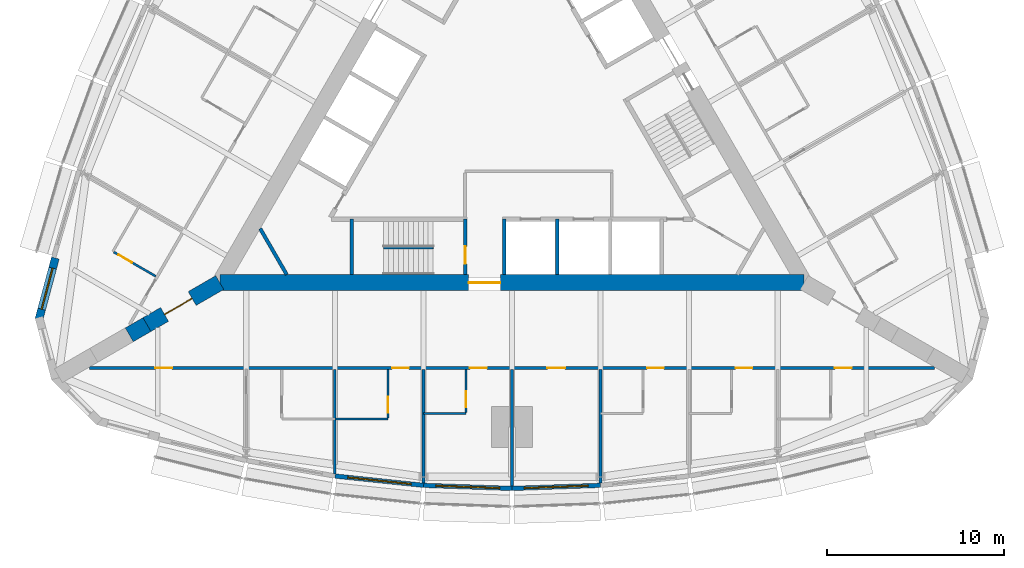
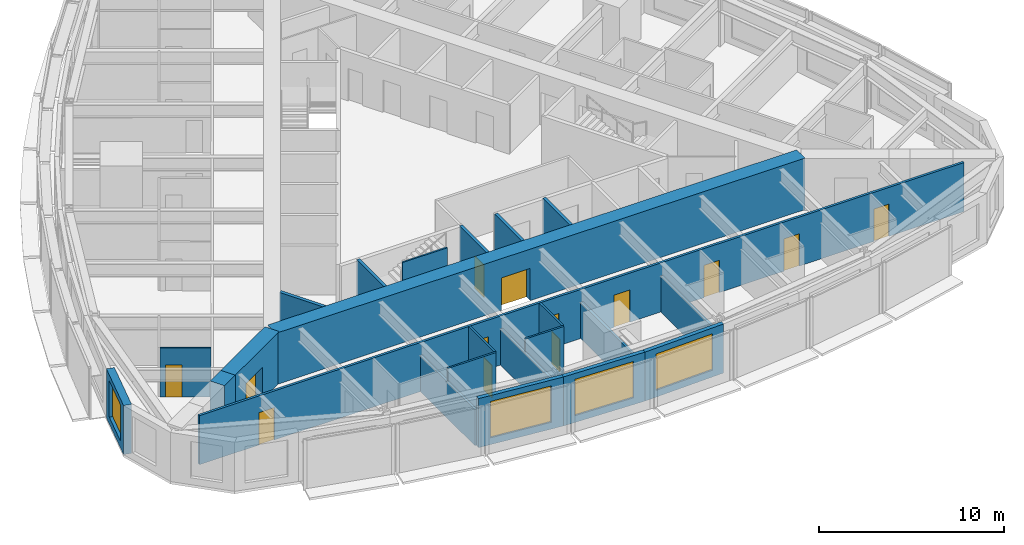
# One storey, part 8 of 14: 23 walls, 13 doors, 4 windows, 17 openings.
"""IFC4 building model written with IfcOpenShell, lengths in metres."""

from ifc_helpers import new_model, si_unit, direction, frame, frame_2d, origin, place, context, subcontext, project, spatial, rectangle, extrude, material, layer, layer_set, type_object, element, fill, save


model = new_model("IFC4")

# Units and contexts
model_context = context("Model", 3, precision=1e-05, world=origin(), true_north=direction((0.0, 1.0)))
body_context = subcontext(model_context, "Body", "Model", "MODEL_VIEW")
ifc_project = project(units=[si_unit("LENGTHUNIT", "METRE"), si_unit("AREAUNIT", "SQUARE_METRE"), si_unit("VOLUMEUNIT", "CUBIC_METRE"), si_unit("PLANEANGLEUNIT", "RADIAN"), si_unit("MASSUNIT", "GRAM", prefix="KILO")], contexts=[model_context])

# Site, building, storey
site_placement = place(None, origin())
site = spatial("IfcSite", under=ifc_project, at=site_placement, CompositionType="ELEMENT")
building_placement = place(site_placement, origin())
building = spatial("IfcBuilding", under=site, at=building_placement, Name="Trikona Tower", CompositionType="ELEMENT")
storey_placement = place(building_placement, frame((0.0, 0.0, 145.300048828125)))
storey = spatial("IfcBuildingStorey", under=building, at=storey_placement, Name="L38", CompositionType="ELEMENT", Elevation=145.300048828125)

# Wall
ifc_material_1 = material(Name="Metal stud and cement board", Category="gypsum")
ifc_layer_1 = layer(ifc_material_1, 0.1201171875)
ifc_layer_set_1 = layer_set([ifc_layer_1], Name="Bathroom wall 120")
wall_type_1 = type_object("IfcWallType", Name="Bathroom wall 120", PredefinedType="PLUMBINGWALL", material=ifc_layer_set_1)
wall_1_placement = place(storey_placement, frame((-10.0, -17.226318359375, 0.0), z_axis=(0.0, 0.0, 1.0), x_axis=(1.0, 0.0, 0.0)))
element("IfcWall", 1, at=wall_1_placement, inside=storey, type_object=wall_type_1, Name="Bathroom wall 3802", PredefinedType="PLUMBINGWALL", context=body_context, shape_type="SweptSolid", body=[
    extrude(rectangle(XDim=3.0, YDim=0.1201171875, at=frame_2d((1.5, 0.0))), origin(), (0.0, 0.0, 1.0), 3.23486328125),
])

# Wall, opening, door
wall_2_placement = place(storey_placement, frame((-7.0, -14.42626953125, 0.0), z_axis=(0.0, 0.0, 1.0), x_axis=(0.0, -1.0, 0.0)))
wall_2 = element("IfcWall", 2, at=wall_2_placement, inside=storey, type_object=wall_type_1, Name="Bathroom wall 3802", PredefinedType="PLUMBINGWALL", context=body_context, shape_type="SweptSolid", body=[
    extrude(rectangle(XDim=2.739990234375, YDim=0.1201171875, at=frame_2d((1.3701171875, 0.0))), origin(), (0.0, 0.0, 1.0), 3.23486328125),
])
opening_1_placement = place(wall_2_placement, frame((1.550048828125, 0.0, 0.0)))
opening_1 = element("IfcOpeningElement", 3, at=opening_1_placement, cuts=wall_2, Name="Opening D2", PredefinedType="OPENING", context=body_context, shape_type="SweptSolid", body=[
    extrude(rectangle(XDim=0.89990234375, YDim=2.1298828125, at=frame_2d((0.449951171875, 1.06494140625))), frame((0.0, 0.070068359375, 0.0), z_axis=(0.0, -1.0, 0.0), x_axis=(1.0, 0.0, 0.0)), (0.0, 0.0, 1.0), 0.14013671875),
])
ifc_material_2 = material(Name="Steel door frame with solid-core timber leaf", Category="steel")
door_type_1 = type_object("IfcDoorType", Name="Bathroom door 900x2130", OperationType="SLIDING_TO_LEFT", PredefinedType="DOOR", material=ifc_material_2)
door_1_placement = place(opening_1_placement, origin())
door_1 = element("IfcDoor", 4, at=door_1_placement, inside=storey, type_object=door_type_1, Name="Bathroom door 3802", OperationType="SLIDING_TO_LEFT", OverallHeight=2.1298828125, OverallWidth=0.89990234375, PredefinedType="DOOR", context=body_context, shape_type="SweptSolid", body=[
    extrude(rectangle(XDim=0.89990234375, YDim=2.1298828125, at=frame_2d((0.449951171875, 1.06494140625))), frame((0.0, 0.02490234375, 0.0), z_axis=(0.0, -1.0, 0.0), x_axis=(1.0, 0.0, 0.0)), (0.0, 0.0, 1.0), 0.050048828125),
])
fill(opening_1, door_1)

# Wall
wall_3_placement = place(storey_placement, frame((-5.0, -16.92626953125, 0.0), z_axis=(0.0, 0.0, 1.0), x_axis=(1.0, 0.0, 0.0)))
element("IfcWall", 5, at=wall_3_placement, inside=storey, type_object=wall_type_1, Name="Bathroom wall 3803", PredefinedType="PLUMBINGWALL", context=body_context, shape_type="SweptSolid", body=[
    extrude(rectangle(XDim=2.39990234375, YDim=0.1201171875, at=frame_2d((1.199951171875, 0.0))), origin(), (0.0, 0.0, 1.0), 3.23486328125),
])

# Wall, opening, door
wall_4_placement = place(storey_placement, frame((-2.60009765625, -14.42626953125, 0.0), z_axis=(0.0, 0.0, 1.0), x_axis=(0.0, -1.0, 0.0)))
wall_4 = element("IfcWall", 6, at=wall_4_placement, inside=storey, type_object=wall_type_1, Name="Bathroom wall 3803", PredefinedType="PLUMBINGWALL", context=body_context, shape_type="SweptSolid", body=[
    extrude(rectangle(XDim=2.43994140625, YDim=0.1201171875, at=frame_2d((1.219970703125, 0.0))), origin(), (0.0, 0.0, 1.0), 3.23486328125),
])
opening_2_placement = place(wall_4_placement, frame((1.25, 0.0, 0.0)))
opening_2 = element("IfcOpeningElement", 7, at=opening_2_placement, cuts=wall_4, Name="Opening D2", PredefinedType="OPENING", context=body_context, shape_type="SweptSolid", body=[
    extrude(rectangle(XDim=0.89990234375, YDim=2.1298828125, at=frame_2d((0.449951171875, 1.06494140625))), frame((0.0, 0.070068359375, 0.0), z_axis=(0.0, -1.0, 0.0), x_axis=(1.0, 0.0, 0.0)), (0.0, 0.0, 1.0), 0.14013671875),
])
door_2_placement = place(opening_2_placement, origin())
door_2 = element("IfcDoor", 8, at=door_2_placement, inside=storey, type_object=door_type_1, Name="Bathroom door 3803", OperationType="SLIDING_TO_LEFT", OverallHeight=2.1298828125, OverallWidth=0.89990234375, PredefinedType="DOOR", context=body_context, shape_type="SweptSolid", body=[
    extrude(rectangle(XDim=0.89990234375, YDim=2.1298828125, at=frame_2d((0.449951171875, 1.06494140625))), frame((0.0, 0.02490234375, 0.0), z_axis=(0.0, -1.0, 0.0), x_axis=(1.0, 0.0, 0.0)), (0.0, 0.0, 1.0), 0.050048828125),
])
fill(opening_2, door_2)

wall_5_placement = place(storey_placement, frame((-20.10791015625, -9.17529296875, 0.0), z_axis=(0.0, 0.0, 1.0), x_axis=(-0.866035715982, 0.499982138324, 0.0)))
wall_5 = element("IfcWall", 9, at=wall_5_placement, inside=storey, type_object=wall_type_1, Name="Bathroom wall 3817", PredefinedType="PLUMBINGWALL", context=body_context, shape_type="SweptSolid", body=[
    extrude(rectangle(XDim=2.73974609375, YDim=0.1201171875, at=frame_2d((1.369873046875, 0.0))), origin(), (0.0, 0.0, 1.0), 3.23486328125),
])
opening_3_placement = place(wall_5_placement, frame((1.550048828125, 0.0, 0.0)))
opening_3 = element("IfcOpeningElement", 10, at=opening_3_placement, cuts=wall_5, Name="Opening D2", PredefinedType="OPENING", context=body_context, shape_type="SweptSolid", body=[
    extrude(rectangle(XDim=0.89990234375, YDim=2.1298828125, at=frame_2d((0.449951171875, 1.06494140625))), frame((0.0, 0.070068359375, 0.0), z_axis=(0.0, -1.0, 0.0), x_axis=(1.0, 0.0, 0.0)), (0.0, 0.0, 1.0), 0.14013671875),
])
door_3_placement = place(opening_3_placement, origin())
door_3 = element("IfcDoor", 11, at=door_3_placement, inside=storey, type_object=door_type_1, Name="Bathroom door 3817", OperationType="SLIDING_TO_LEFT", OverallHeight=2.1298828125, OverallWidth=0.89990234375, PredefinedType="DOOR", context=body_context, shape_type="SweptSolid", body=[
    extrude(rectangle(XDim=0.89990234375, YDim=2.1298828125, at=frame_2d((0.449951171875, 1.06494140625))), frame((0.0, 0.02490234375, 0.0), z_axis=(0.0, -1.0, 0.0), x_axis=(1.0, 0.0, 0.0)), (0.0, 0.0, 1.0), 0.050048828125),
])
fill(opening_3, door_3)

# Wall, opening, window
ifc_material_3 = material(Name="Brick-faced precast concrete", Category="masonry")
ifc_layer_2 = layer(ifc_material_3, 0.449951171875)
ifc_layer_set_2 = layer_set([ifc_layer_2], Name="Brick-faced corner wall 450")
wall_type_2 = type_object("IfcWallType", Name="Brick-faced corner wall 450", PredefinedType="SOLIDWALL", material=ifc_layer_set_2)
wall_6_placement = place(storey_placement, frame((-25.78271484375, -8.14111328125, 0.0), z_axis=(0.0, 0.0, 1.0), x_axis=(-0.258823421857, -0.965924653531, 0.0)))
wall_6 = element("IfcWall", 12, at=wall_6_placement, inside=storey, type_object=wall_type_2, Name="External wall L38-32", PredefinedType="SOLIDWALL", context=body_context, shape_type="SweptSolid", body=[
    extrude(rectangle(XDim=3.58642578125, YDim=0.449951171875, at=frame_2d((1.793212890625, 0.0))), origin(), (0.0, 0.0, 1.0), 3.23486328125),
])
opening_4_placement = place(wall_6_placement, frame((0.593017578125, 0.0, 0.449951171875)))
opening_4 = element("IfcOpeningElement", 13, at=opening_4_placement, cuts=wall_6, Name="Opening W2424", PredefinedType="OPENING", context=body_context, shape_type="SweptSolid", body=[
    extrude(rectangle(XDim=2.39990234375, YDim=2.39990234375, at=frame_2d((1.199951171875, 1.199951171875))), frame((0.0, 0.23486328125, 0.0), z_axis=(0.0, -1.0, 0.0), x_axis=(1.0, 0.0, 0.0)), (0.0, 0.0, 1.0), 0.469970703125),
])
ifc_material_4 = material(Name="Aluminium-framed double glazing", Category="aluminium")
window_type_1 = type_object("IfcWindowType", Name="Window 2400x2400", PartitioningType="SINGLE_PANEL", PredefinedType="WINDOW", material=ifc_material_4)
window_1_placement = place(opening_4_placement, origin())
window_1 = element("IfcWindow", 14, at=window_1_placement, inside=storey, type_object=window_type_1, Name="Window 3817", OverallHeight=2.39990234375, OverallWidth=2.39990234375, PartitioningType="SINGLE_PANEL", PredefinedType="WINDOW", context=body_context, shape_type="SweptSolid", body=[
    extrude(rectangle(XDim=2.39990234375, YDim=2.39990234375, at=frame_2d((1.199951171875, 1.199951171875))), frame((0.0, 0.030029296875, 0.0), z_axis=(0.0, -1.0, 0.0), x_axis=(1.0, 0.0, 0.0)), (0.0, 0.0, 1.0), 0.06005859375),
])
fill(opening_4, window_1)

# Wall, opening, door
ifc_material_5 = material(Name="Concrete f'c 10000 psi", Category="concrete")
ifc_layer_3 = layer(ifc_material_5, 0.89990234375)
ifc_layer_set_3 = layer_set([ifc_layer_3], Name="Buttress wall 900")
wall_type_3 = type_object("IfcWallType", Name="Buttress wall 900", PredefinedType="SHEAR", material=ifc_layer_set_3)
wall_7_placement = place(storey_placement, frame((-16.5, -9.5263671875, 0.0), z_axis=(0.0, 0.0, 1.0), x_axis=(-0.866031398331, -0.499989616998, 0.0)))
wall_7 = element("IfcWall", 15, at=wall_7_placement, inside=storey, type_object=wall_type_3, Name="Buttress wall 3", PredefinedType="SHEAR", context=body_context, shape_type="SweptSolid", body=[
    extrude(rectangle(XDim=4.74609375, YDim=0.89990234375, at=frame_2d((2.373046875, 0.0))), origin(), (0.0, 0.0, 1.0), 3.39990234375),
])
opening_5_placement = place(wall_7_placement, frame((1.800048828125, 0.0, 0.0)))
opening_5 = element("IfcOpeningElement", 16, at=opening_5_placement, cuts=wall_7, Name="Opening D10", PredefinedType="OPENING", context=body_context, shape_type="SweptSolid", body=[
    extrude(rectangle(XDim=1.800048828125, YDim=2.1298828125, at=frame_2d((0.89990234375, 1.06494140625))), frame((0.0, 0.4599609375, 0.0), z_axis=(0.0, -1.0, 0.0), x_axis=(1.0, 0.0, 0.0)), (0.0, 0.0, 1.0), 0.919921875),
])
ifc_material_6 = material(Name="Hollow metal door and frame", Category="steel")
door_type_2 = type_object("IfcDoorType", Name="Cross-corridor door pair 1800x2130", OperationType="DOUBLE_DOOR_DOUBLE_SWING", PredefinedType="DOOR", material=ifc_material_6)
door_4_placement = place(opening_5_placement, origin())
door_4 = element("IfcDoor", 17, at=door_4_placement, inside=storey, type_object=door_type_2, Name="Cross-corridor door 3", OperationType="DOUBLE_DOOR_DOUBLE_SWING", OverallHeight=2.1298828125, OverallWidth=1.800048828125, PredefinedType="DOOR", context=body_context, shape_type="SweptSolid", body=[
    extrude(rectangle(XDim=1.800048828125, YDim=2.1298828125, at=frame_2d((0.89990234375, 1.06494140625))), frame((0.0, 0.02490234375, 0.0), z_axis=(0.0, -1.0, 0.0), x_axis=(1.0, 0.0, 0.0)), (0.0, 0.0, 1.0), 0.050048828125),
])
fill(opening_5, door_4)

# Wall
wall_8_placement = place(storey_placement, frame((-20.6103515625, -11.8994140625, 0.0), z_axis=(0.0, 0.0, 1.0), x_axis=(-0.866009537788, -0.500027479704, 0.0)))
element("IfcWall", 18, at=wall_8_placement, inside=storey, type_object=wall_type_3, Name="Buttress wall 3 part 2", PredefinedType="SHEAR", context=body_context, shape_type="SweptSolid", body=[
    extrude(rectangle(XDim=1.15478515625, YDim=0.89990234375, at=frame_2d((0.577392578125, 0.0))), origin(), (0.0, 0.0, 1.0), 3.39990234375),
])

# Wall, opening, door
ifc_material_7 = material(Name="Concrete f'c 10000 psi", Category="concrete")
ifc_layer_4 = layer(ifc_material_7, 0.89990234375)
ifc_layer_set_4 = layer_set([ifc_layer_4], Name="Core wall 900")
wall_type_4 = type_object("IfcWallType", Name="Core wall 900", PredefinedType="SHEAR", material=ifc_layer_set_4)
wall_9_placement = place(storey_placement, frame((-16.5, -9.5263671875, 0.0), z_axis=(0.0, 0.0, 1.0), x_axis=(1.0, 0.0, 0.0)))
wall_9 = element("IfcWall", 19, at=wall_9_placement, inside=storey, type_object=wall_type_4, Name="Core wall A", PredefinedType="SHEAR", context=body_context, shape_type="SweptSolid", body=[
    extrude(rectangle(XDim=33.0, YDim=0.89990234375, at=frame_2d((16.5, 0.0))), origin(), (0.0, 0.0, 1.0), 3.39990234375),
])
opening_6_placement = place(wall_9_placement, frame((14.050048828125, 0.0, 0.0)))
opening_6 = element("IfcOpeningElement", 20, at=opening_6_placement, cuts=wall_9, Name="Opening D6", PredefinedType="OPENING", context=body_context, shape_type="SweptSolid", body=[
    extrude(rectangle(XDim=1.800048828125, YDim=2.1298828125, at=frame_2d((0.89990234375, 1.06494140625))), frame((0.0, 0.4599609375, 0.0), z_axis=(0.0, -1.0, 0.0), x_axis=(1.0, 0.0, 0.0)), (0.0, 0.0, 1.0), 0.919921875),
])
ifc_material_8 = material(Name="Hollow metal door and frame", Category="steel")
door_type_3 = type_object("IfcDoorType", Name="Lobby door pair 1800x2130", OperationType="DOUBLE_DOOR_SINGLE_SWING", PredefinedType="DOOR", material=ifc_material_8)
door_5_placement = place(opening_6_placement, origin())
door_5 = element("IfcDoor", 21, at=door_5_placement, inside=storey, type_object=door_type_3, Name="Fire service lift lobby door", OperationType="DOUBLE_DOOR_SINGLE_SWING", OverallHeight=2.1298828125, OverallWidth=1.800048828125, PredefinedType="DOOR", context=body_context, shape_type="SweptSolid", body=[
    extrude(rectangle(XDim=1.800048828125, YDim=2.1298828125, at=frame_2d((0.89990234375, 1.06494140625))), frame((0.0, 0.02490234375, 0.0), z_axis=(0.0, -1.0, 0.0), x_axis=(1.0, 0.0, 0.0)), (0.0, 0.0, 1.0), 0.050048828125),
])
fill(opening_6, door_5)

# Wall, openings, doors
ifc_material_9 = material(Name="Metal stud and gypsum board, 1-hour", Category="gypsum")
ifc_layer_5 = layer(ifc_material_9, 0.14990234375)
ifc_layer_set_5 = layer_set([ifc_layer_5], Name="Corridor wall 150")
wall_type_5 = type_object("IfcWallType", Name="Corridor wall 150", PredefinedType="PARTITIONING", material=ifc_layer_set_5)
wall_10_placement = place(storey_placement, frame((-23.857177734375, -14.351318359375, 0.0), z_axis=(0.0, 0.0, 1.0), x_axis=(1.0, 0.0, 0.0)))
wall_10 = element("IfcWall", 22, at=wall_10_placement, inside=storey, type_object=wall_type_5, Name="Corridor wall L38-1", PredefinedType="PARTITIONING", context=body_context, shape_type="SweptSolid", body=[
    extrude(rectangle(XDim=47.71435546875, YDim=0.14990234375, at=frame_2d((23.857177734375, 0.0))), origin(), (0.0, 0.0, 1.0), 3.23486328125),
])
opening_7_placement = place(wall_10_placement, frame((3.723388671875, 0.0, 0.0)))
opening_7 = element("IfcOpeningElement", 23, at=opening_7_placement, cuts=wall_10, Name="Opening D1", PredefinedType="OPENING", context=body_context, shape_type="SweptSolid", body=[
    extrude(rectangle(XDim=0.949951171875, YDim=2.1298828125, at=frame_2d((0.47509765625, 1.06494140625))), frame((0.0, 0.0849609375, 0.0), z_axis=(0.0, -1.0, 0.0), x_axis=(1.0, 0.0, 0.0)), (0.0, 0.0, 1.0), 0.169921875),
])
opening_8_placement = place(wall_10_placement, frame((17.08203125, 0.0, 0.0)))
opening_8 = element("IfcOpeningElement", 24, at=opening_8_placement, cuts=wall_10, Name="Opening D1", PredefinedType="OPENING", context=body_context, shape_type="SweptSolid", body=[
    extrude(rectangle(XDim=0.949951171875, YDim=2.1298828125, at=frame_2d((0.47509765625, 1.06494140625))), frame((0.0, 0.0849609375, 0.0), z_axis=(0.0, -1.0, 0.0), x_axis=(1.0, 0.0, 0.0)), (0.0, 0.0, 1.0), 0.169921875),
])
opening_9_placement = place(wall_10_placement, frame((21.482177734375, 0.0, 0.0)))
opening_9 = element("IfcOpeningElement", 25, at=opening_9_placement, cuts=wall_10, Name="Opening D1", PredefinedType="OPENING", context=body_context, shape_type="SweptSolid", body=[
    extrude(rectangle(XDim=0.949951171875, YDim=2.1298828125, at=frame_2d((0.47509765625, 1.06494140625))), frame((0.0, 0.0849609375, 0.0), z_axis=(0.0, -1.0, 0.0), x_axis=(1.0, 0.0, 0.0)), (0.0, 0.0, 1.0), 0.169921875),
])
opening_10_placement = place(wall_10_placement, frame((25.857177734375, 0.0, 0.0)))
opening_10 = element("IfcOpeningElement", 26, at=opening_10_placement, cuts=wall_10, Name="Opening D3", PredefinedType="OPENING", context=body_context, shape_type="SweptSolid", body=[
    extrude(rectangle(XDim=1.0, YDim=2.1298828125, at=frame_2d((0.5, 1.06494140625))), frame((0.0, 0.0849609375, 0.0), z_axis=(0.0, -1.0, 0.0), x_axis=(1.0, 0.0, 0.0)), (0.0, 0.0, 1.0), 0.169921875),
])
opening_11_placement = place(wall_10_placement, frame((31.482177734375, 0.0, 0.0)))
opening_11 = element("IfcOpeningElement", 27, at=opening_11_placement, cuts=wall_10, Name="Opening D1", PredefinedType="OPENING", context=body_context, shape_type="SweptSolid", body=[
    extrude(rectangle(XDim=0.949951171875, YDim=2.1298828125, at=frame_2d((0.47509765625, 1.06494140625))), frame((0.0, 0.0849609375, 0.0), z_axis=(0.0, -1.0, 0.0), x_axis=(1.0, 0.0, 0.0)), (0.0, 0.0, 1.0), 0.169921875),
])
opening_12_placement = place(wall_10_placement, frame((36.482177734375, 0.0, 0.0)))
opening_12 = element("IfcOpeningElement", 28, at=opening_12_placement, cuts=wall_10, Name="Opening D1", PredefinedType="OPENING", context=body_context, shape_type="SweptSolid", body=[
    extrude(rectangle(XDim=0.949951171875, YDim=2.1298828125, at=frame_2d((0.47509765625, 1.06494140625))), frame((0.0, 0.0849609375, 0.0), z_axis=(0.0, -1.0, 0.0), x_axis=(1.0, 0.0, 0.0)), (0.0, 0.0, 1.0), 0.169921875),
])
opening_13_placement = place(wall_10_placement, frame((42.08203125, 0.0, 0.0)))
opening_13 = element("IfcOpeningElement", 29, at=opening_13_placement, cuts=wall_10, Name="Opening D1", PredefinedType="OPENING", context=body_context, shape_type="SweptSolid", body=[
    extrude(rectangle(XDim=0.949951171875, YDim=2.1298828125, at=frame_2d((0.47509765625, 1.06494140625))), frame((0.0, 0.0849609375, 0.0), z_axis=(0.0, -1.0, 0.0), x_axis=(1.0, 0.0, 0.0)), (0.0, 0.0, 1.0), 0.169921875),
])
ifc_material_10 = material(Name="Steel door frame with solid-core timber leaf", Category="steel")
door_type_4 = type_object("IfcDoorType", Name="Guest room door 950x2130", OperationType="SINGLE_SWING_LEFT", PredefinedType="DOOR", material=ifc_material_10)
door_6_placement = place(opening_7_placement, origin())
door_6 = element("IfcDoor", 30, at=door_6_placement, inside=storey, type_object=door_type_4, Name="Room door 3801", OperationType="SINGLE_SWING_LEFT", OverallHeight=2.1298828125, OverallWidth=0.949951171875, PredefinedType="DOOR", context=body_context, shape_type="SweptSolid", body=[
    extrude(rectangle(XDim=0.949951171875, YDim=2.1298828125, at=frame_2d((0.47509765625, 1.06494140625))), frame((0.0, 0.02490234375, 0.0), z_axis=(0.0, -1.0, 0.0), x_axis=(1.0, 0.0, 0.0)), (0.0, 0.0, 1.0), 0.050048828125),
])
fill(opening_7, door_6)
door_7_placement = place(opening_8_placement, origin())
door_7 = element("IfcDoor", 31, at=door_7_placement, inside=storey, type_object=door_type_4, Name="Room door 3802", OperationType="SINGLE_SWING_RIGHT", OverallHeight=2.1298828125, OverallWidth=0.949951171875, PredefinedType="DOOR", context=body_context, shape_type="SweptSolid", body=[
    extrude(rectangle(XDim=0.949951171875, YDim=2.1298828125, at=frame_2d((0.47509765625, 1.06494140625))), frame((0.0, 0.02490234375, 0.0), z_axis=(0.0, -1.0, 0.0), x_axis=(1.0, 0.0, 0.0)), (0.0, 0.0, 1.0), 0.050048828125),
])
fill(opening_8, door_7)
door_8_placement = place(opening_9_placement, origin())
door_8 = element("IfcDoor", 32, at=door_8_placement, inside=storey, type_object=door_type_4, Name="Room door 3803", OperationType="SINGLE_SWING_LEFT", OverallHeight=2.1298828125, OverallWidth=0.949951171875, PredefinedType="DOOR", context=body_context, shape_type="SweptSolid", body=[
    extrude(rectangle(XDim=0.949951171875, YDim=2.1298828125, at=frame_2d((0.47509765625, 1.06494140625))), frame((0.0, 0.02490234375, 0.0), z_axis=(0.0, -1.0, 0.0), x_axis=(1.0, 0.0, 0.0)), (0.0, 0.0, 1.0), 0.050048828125),
])
fill(opening_9, door_8)
door_9_placement = place(opening_11_placement, origin())
door_9 = element("IfcDoor", 33, at=door_9_placement, inside=storey, type_object=door_type_4, Name="Room door 3804", OperationType="SINGLE_SWING_LEFT", OverallHeight=2.1298828125, OverallWidth=0.949951171875, PredefinedType="DOOR", context=body_context, shape_type="SweptSolid", body=[
    extrude(rectangle(XDim=0.949951171875, YDim=2.1298828125, at=frame_2d((0.47509765625, 1.06494140625))), frame((0.0, 0.02490234375, 0.0), z_axis=(0.0, -1.0, 0.0), x_axis=(1.0, 0.0, 0.0)), (0.0, 0.0, 1.0), 0.050048828125),
])
fill(opening_11, door_9)
door_10_placement = place(opening_12_placement, origin())
door_10 = element("IfcDoor", 34, at=door_10_placement, inside=storey, type_object=door_type_4, Name="Room door 3805", OperationType="SINGLE_SWING_RIGHT", OverallHeight=2.1298828125, OverallWidth=0.949951171875, PredefinedType="DOOR", context=body_context, shape_type="SweptSolid", body=[
    extrude(rectangle(XDim=0.949951171875, YDim=2.1298828125, at=frame_2d((0.47509765625, 1.06494140625))), frame((0.0, 0.02490234375, 0.0), z_axis=(0.0, -1.0, 0.0), x_axis=(1.0, 0.0, 0.0)), (0.0, 0.0, 1.0), 0.050048828125),
])
fill(opening_12, door_10)
door_11_placement = place(opening_13_placement, origin())
door_11 = element("IfcDoor", 35, at=door_11_placement, inside=storey, type_object=door_type_4, Name="Room door 3806", OperationType="SINGLE_SWING_LEFT", OverallHeight=2.1298828125, OverallWidth=0.949951171875, PredefinedType="DOOR", context=body_context, shape_type="SweptSolid", body=[
    extrude(rectangle(XDim=0.949951171875, YDim=2.1298828125, at=frame_2d((0.47509765625, 1.06494140625))), frame((0.0, 0.02490234375, 0.0), z_axis=(0.0, -1.0, 0.0), x_axis=(1.0, 0.0, 0.0)), (0.0, 0.0, 1.0), 0.050048828125),
])
fill(opening_13, door_11)
ifc_material_11 = material(Name="Steel door frame with solid-core timber leaf", Category="steel")
door_type_5 = type_object("IfcDoorType", Name="Room door 1000x2130", OperationType="SINGLE_SWING_LEFT", PredefinedType="DOOR", material=ifc_material_11)
door_12_placement = place(opening_10_placement, origin())
door_12 = element("IfcDoor", 36, at=door_12_placement, inside=storey, type_object=door_type_5, Name="Door Housekeeping pantry", OperationType="SINGLE_SWING_RIGHT", OverallHeight=2.1298828125, OverallWidth=1.0, PredefinedType="DOOR", context=body_context, shape_type="SweptSolid", body=[
    extrude(rectangle(XDim=1.0, YDim=2.1298828125, at=frame_2d((0.5, 1.06494140625))), frame((0.0, 0.02490234375, 0.0), z_axis=(0.0, -1.0, 0.0), x_axis=(1.0, 0.0, 0.0)), (0.0, 0.0, 1.0), 0.050048828125),
])
fill(opening_10, door_12)

# Wall, opening, window
ifc_material_12 = material(Name="Insulated precast concrete spandrel panel", Category="concrete")
ifc_layer_6 = layer(ifc_material_12, 0.25)
ifc_layer_set_6 = layer_set([ifc_layer_6], Name="Inner skin wall 250")
wall_type_6 = type_object("IfcWallType", Name="Inner skin wall 250", PredefinedType="STANDARD", material=ifc_layer_set_6)
wall_11_placement = place(storey_placement, frame((-9.98681640625, -20.450927734375, 0.0), z_axis=(0.0, 0.0, 1.0), x_axis=(0.994534683851, -0.104406717299, 0.0)))
wall_11 = element("IfcWall", 37, at=wall_11_placement, inside=storey, type_object=wall_type_6, Name="External wall L38-02", PredefinedType="STANDARD", context=body_context, shape_type="SweptSolid", body=[
    extrude(rectangle(XDim=5.027587890625, YDim=0.25, at=frame_2d((2.513671875, 0.0))), origin(), (0.0, 0.0, 1.0), 3.23486328125),
])
opening_14_placement = place(wall_11_placement, frame((0.713623046875, 0.0, 0.449951171875)))
opening_14 = element("IfcOpeningElement", 38, at=opening_14_placement, cuts=wall_11, Name="Opening W3624", PredefinedType="OPENING", context=body_context, shape_type="SweptSolid", body=[
    extrude(rectangle(XDim=3.60009765625, YDim=2.39990234375, at=frame_2d((1.800048828125, 1.199951171875))), frame((0.0, 0.135009765625, 0.0), z_axis=(0.0, -1.0, 0.0), x_axis=(1.0, 0.0, 0.0)), (0.0, 0.0, 1.0), 0.27001953125),
])
ifc_material_13 = material(Name="Aluminium-framed double glazing", Category="aluminium")
window_type_2 = type_object("IfcWindowType", Name="Window 3600x2400", PartitioningType="SINGLE_PANEL", PredefinedType="WINDOW", material=ifc_material_13)
window_2_placement = place(opening_14_placement, origin())
window_2 = element("IfcWindow", 39, at=window_2_placement, inside=storey, type_object=window_type_2, Name="Window 3802", OverallHeight=2.39990234375, OverallWidth=3.60009765625, PartitioningType="SINGLE_PANEL", PredefinedType="WINDOW", context=body_context, shape_type="SweptSolid", body=[
    extrude(rectangle(XDim=3.60009765625, YDim=2.39990234375, at=frame_2d((1.800048828125, 1.199951171875))), frame((0.0, 0.030029296875, 0.0), z_axis=(0.0, -1.0, 0.0), x_axis=(1.0, 0.0, 0.0)), (0.0, 0.0, 1.0), 0.06005859375),
])
fill(opening_14, window_2)

wall_12_placement = place(storey_placement, frame((-4.99560546875, -20.975341796875, 0.0), z_axis=(0.0, 0.0, 1.0), x_axis=(0.999387720943, -0.034988329879, 0.0)))
wall_12 = element("IfcWall", 40, at=wall_12_placement, inside=storey, type_object=wall_type_6, Name="External wall L38-03", PredefinedType="STANDARD", context=body_context, shape_type="SweptSolid", body=[
    extrude(rectangle(XDim=5.003173828125, YDim=0.25, at=frame_2d((2.50146484375, 0.0))), origin(), (0.0, 0.0, 1.0), 3.23486328125),
])
opening_15_placement = place(wall_12_placement, frame((0.701416015625, 0.0, 0.449951171875)))
opening_15 = element("IfcOpeningElement", 41, at=opening_15_placement, cuts=wall_12, Name="Opening W3624", PredefinedType="OPENING", context=body_context, shape_type="SweptSolid", body=[
    extrude(rectangle(XDim=3.60009765625, YDim=2.39990234375, at=frame_2d((1.800048828125, 1.199951171875))), frame((0.0, 0.135009765625, 0.0), z_axis=(0.0, -1.0, 0.0), x_axis=(1.0, 0.0, 0.0)), (0.0, 0.0, 1.0), 0.27001953125),
])
window_3_placement = place(opening_15_placement, origin())
window_3 = element("IfcWindow", 42, at=window_3_placement, inside=storey, type_object=window_type_2, Name="Window 3803", OverallHeight=2.39990234375, OverallWidth=3.60009765625, PartitioningType="SINGLE_PANEL", PredefinedType="WINDOW", context=body_context, shape_type="SweptSolid", body=[
    extrude(rectangle(XDim=3.60009765625, YDim=2.39990234375, at=frame_2d((1.800048828125, 1.199951171875))), frame((0.0, 0.030029296875, 0.0), z_axis=(0.0, -1.0, 0.0), x_axis=(1.0, 0.0, 0.0)), (0.0, 0.0, 1.0), 0.06005859375),
])
fill(opening_15, window_3)

wall_13_placement = place(storey_placement, frame((-0.00439453125, -21.150390625, 0.0), z_axis=(0.0, 0.0, 1.0), x_axis=(0.999387720943, 0.034988329879, 0.0)))
wall_13 = element("IfcWall", 43, at=wall_13_placement, inside=storey, type_object=wall_type_6, Name="External wall L38-04", PredefinedType="STANDARD", context=body_context, shape_type="SweptSolid", body=[
    extrude(rectangle(XDim=5.003173828125, YDim=0.25, at=frame_2d((2.50146484375, 0.0))), origin(), (0.0, 0.0, 1.0), 3.23486328125),
])
opening_16_placement = place(wall_13_placement, frame((0.701416015625, 0.0, 0.449951171875)))
opening_16 = element("IfcOpeningElement", 44, at=opening_16_placement, cuts=wall_13, Name="Opening W3624", PredefinedType="OPENING", context=body_context, shape_type="SweptSolid", body=[
    extrude(rectangle(XDim=3.60009765625, YDim=2.39990234375, at=frame_2d((1.800048828125, 1.199951171875))), frame((0.0, 0.135009765625, 0.0), z_axis=(0.0, -1.0, 0.0), x_axis=(1.0, 0.0, 0.0)), (0.0, 0.0, 1.0), 0.27001953125),
])
window_4_placement = place(opening_16_placement, origin())
window_4 = element("IfcWindow", 45, at=window_4_placement, inside=storey, type_object=window_type_2, Name="Window L38-HKP", OverallHeight=2.39990234375, OverallWidth=3.60009765625, PartitioningType="SINGLE_PANEL", PredefinedType="WINDOW", context=body_context, shape_type="SweptSolid", body=[
    extrude(rectangle(XDim=3.60009765625, YDim=2.39990234375, at=frame_2d((1.800048828125, 1.199951171875))), frame((0.0, 0.030029296875, 0.0), z_axis=(0.0, -1.0, 0.0), x_axis=(1.0, 0.0, 0.0)), (0.0, 0.0, 1.0), 0.06005859375),
])
fill(opening_16, window_4)

# Walls
ifc_material_14 = material(Name="Metal stud and gypsum board, 1-hour acoustic", Category="gypsum")
ifc_layer_7 = layer(ifc_material_14, 0.14990234375)
ifc_layer_set_7 = layer_set([ifc_layer_7], Name="Party wall 150")
wall_type_7 = type_object("IfcWallType", Name="Party wall 150", PredefinedType="PARTITIONING", material=ifc_layer_set_7)
wall_14_placement = place(storey_placement, frame((-10.0, -14.42626953125, 0.0), z_axis=(0.0, 0.0, 1.0), x_axis=(0.0, -1.0, 0.0)))
element("IfcWall", 46, at=wall_14_placement, inside=storey, type_object=wall_type_7, Name="Partition L38 F1 u-10", PredefinedType="PARTITIONING", context=body_context, shape_type="SweptSolid", body=[
    extrude(rectangle(XDim=5.89501953125, YDim=0.14990234375, at=frame_2d((2.947509765625, 0.0))), origin(), (0.0, 0.0, 1.0), 2.38916015625),
])
wall_15_placement = place(storey_placement, frame((-5.0, -14.42626953125, 0.0), z_axis=(0.0, 0.0, 1.0), x_axis=(0.0, -1.0, 0.0)))
element("IfcWall", 47, at=wall_15_placement, inside=storey, type_object=wall_type_7, Name="Partition L38 F1 u-5", PredefinedType="PARTITIONING", context=body_context, shape_type="SweptSolid", body=[
    extrude(rectangle(XDim=6.422607421875, YDim=0.14990234375, at=frame_2d((3.21142578125, 0.0))), origin(), (0.0, 0.0, 1.0), 2.38916015625),
])
wall_16_placement = place(storey_placement, frame((0.0, -14.42626953125, 0.0), z_axis=(0.0, 0.0, 1.0), x_axis=(0.0, -1.0, 0.0)))
element("IfcWall", 48, at=wall_16_placement, inside=storey, type_object=wall_type_7, Name="Partition L38 F1 u-9.86076e-31", PredefinedType="PARTITIONING", context=body_context, shape_type="SweptSolid", body=[
    extrude(rectangle(XDim=6.5986328125, YDim=0.14990234375, at=frame_2d((3.29931640625, 0.0))), origin(), (0.0, 0.0, 1.0), 2.38916015625),
])
wall_17_placement = place(storey_placement, frame((5.0, -14.42626953125, 0.0), z_axis=(0.0, 0.0, 1.0), x_axis=(0.0, -1.0, 0.0)))
element("IfcWall", 49, at=wall_17_placement, inside=storey, type_object=wall_type_7, Name="Partition L38 F1 u5", PredefinedType="PARTITIONING", context=body_context, shape_type="SweptSolid", body=[
    extrude(rectangle(XDim=6.422607421875, YDim=0.14990234375, at=frame_2d((3.21142578125, 0.0))), origin(), (0.0, 0.0, 1.0), 2.38916015625),
])
ifc_material_15 = material(Name="Concrete f'c 8000 psi", Category="concrete")
ifc_layer_8 = layer(ifc_material_15, 0.199951171875)
ifc_layer_set_8 = layer_set([ifc_layer_8], Name="Shaft wall 200")
wall_type_8 = type_object("IfcWallType", Name="Shaft wall 200", PredefinedType="SOLIDWALL", material=ifc_layer_set_8)
for number, where, z_axis, x_axis, name in (
    (50, (-0.449951171875, -5.951416015625, 0.0), (0.0, 0.0, 1.0), (0.0, -1.0, 0.0), "Shaft wall A3"),
    (51, (2.550048828125, -5.951416015625, 0.0), (0.0, 0.0, 1.0), (0.0, -1.0, 0.0), "Shaft wall A4"),
):
    element("IfcWall", number, at=place(storey_placement, frame(where, z_axis=z_axis, x_axis=x_axis)), inside=storey, type_object=wall_type_8, Name=name, PredefinedType="SOLIDWALL", context=body_context, shape_type="SweptSolid", body=[
        extrude(rectangle(XDim=3.125, YDim=0.199951171875, at=frame_2d((1.5625, 0.0))), origin(), (0.0, 0.0, 1.0), 3.23486328125),
    ])
wall_18_placement = place(storey_placement, frame((-12.718505859375, -9.076416015625, 0.0), z_axis=(0.0, 0.0, 1.0), x_axis=(-0.499952404951, 0.866052881055, 0.0)))
element("IfcWall", 52, at=wall_18_placement, inside=storey, type_object=wall_type_8, Name="Riser wall L38-RS3", PredefinedType="SOLIDWALL", context=body_context, shape_type="SweptSolid", body=[
    extrude(rectangle(XDim=3.002197265625, YDim=0.199951171875, at=frame_2d((1.5009765625, 0.0))), origin(), (0.0, 0.0, 1.0), 3.23486328125),
])
ifc_material_16 = material(Name="Concrete f'c 8000 psi", Category="concrete")
ifc_layer_9 = layer(ifc_material_16, 0.199951171875)
ifc_layer_set_9 = layer_set([ifc_layer_9], Name="Shaft wall 200 load-bearing")
wall_type_9 = type_object("IfcWallType", Name="Shaft wall 200 load-bearing", PredefinedType="SOLIDWALL", material=ifc_layer_set_9)
wall_19_placement = place(storey_placement, frame((-9.050048828125, -5.951416015625, 0.0), z_axis=(0.0, 0.0, 1.0), x_axis=(0.0, -1.0, 0.0)))
element("IfcWall", 53, at=wall_19_placement, inside=storey, type_object=wall_type_9, Name="Shaft wall A1", PredefinedType="SOLIDWALL", context=body_context, shape_type="SweptSolid", body=[
    extrude(rectangle(XDim=3.125, YDim=0.199951171875, at=frame_2d((1.5625, 0.0))), origin(), (0.0, 0.0, 1.0), 3.23486328125),
])

# Wall, opening, door
wall_20_placement = place(storey_placement, frame((-2.64990234375, -5.951416015625, 0.0), z_axis=(0.0, 0.0, 1.0), x_axis=(0.0, -1.0, 0.0)))
wall_20 = element("IfcWall", 54, at=wall_20_placement, inside=storey, type_object=wall_type_9, Name="Shaft wall A2", PredefinedType="SOLIDWALL", context=body_context, shape_type="SweptSolid", body=[
    extrude(rectangle(XDim=3.125, YDim=0.199951171875, at=frame_2d((1.5625, 0.0))), origin(), (0.0, 0.0, 1.0), 3.23486328125),
])
opening_17_placement = place(wall_20_placement, frame((1.52490234375, 0.0, 0.0)))
opening_17 = element("IfcOpeningElement", 55, at=opening_17_placement, cuts=wall_20, Name="Opening D5", PredefinedType="OPENING", context=body_context, shape_type="SweptSolid", body=[
    extrude(rectangle(XDim=1.0, YDim=2.1298828125, at=frame_2d((0.5, 1.06494140625))), frame((0.0, 0.10986328125, 0.0), z_axis=(0.0, -1.0, 0.0), x_axis=(1.0, 0.0, 0.0)), (0.0, 0.0, 1.0), 0.219970703125),
])
ifc_material_17 = material(Name="Hollow metal door and frame", Category="steel")
door_type_6 = type_object("IfcDoorType", Name="Stair door 1000x2130", OperationType="SINGLE_SWING_LEFT", PredefinedType="DOOR", material=ifc_material_17)
door_13_placement = place(opening_17_placement, origin())
door_13 = element("IfcDoor", 56, at=door_13_placement, inside=storey, type_object=door_type_6, Name="Stair A door", OperationType="SINGLE_SWING_RIGHT", OverallHeight=2.1298828125, OverallWidth=1.0, PredefinedType="DOOR", context=body_context, shape_type="SweptSolid", body=[
    extrude(rectangle(XDim=1.0, YDim=2.1298828125, at=frame_2d((0.5, 1.06494140625))), frame((0.0, 0.02490234375, 0.0), z_axis=(0.0, -1.0, 0.0), x_axis=(1.0, 0.0, 0.0)), (0.0, 0.0, 1.0), 0.050048828125),
])
fill(opening_17, door_13)

# Wall
ifc_material_18 = material(Name="Concrete f'c 5000 psi", Category="concrete")
ifc_layer_10 = layer(ifc_material_18, 0.10009765625)
ifc_layer_set_10 = layer_set([ifc_layer_10], Name="Stair spine wall 100")
wall_type_10 = type_object("IfcWallType", Name="Stair spine wall 100", PredefinedType="SOLIDWALL", material=ifc_layer_set_10)
wall_21_placement = place(storey_placement, frame((-7.2470703125, -7.576416015625, 0.0), z_axis=(0.0, 0.0, 1.0), x_axis=(1.0, 0.0, 0.0)))
element("IfcWall", 57, at=wall_21_placement, inside=storey, type_object=wall_type_10, Name="Stair A spine wall L38", PredefinedType="SOLIDWALL", context=body_context, shape_type="SweptSolid", body=[
    extrude(rectangle(XDim=2.794189453125, YDim=0.10009765625, at=frame_2d((1.39697265625, 0.0))), origin(), (0.0, 0.0, 1.0), 3.39990234375),
])

save(model, "model.ifc")
